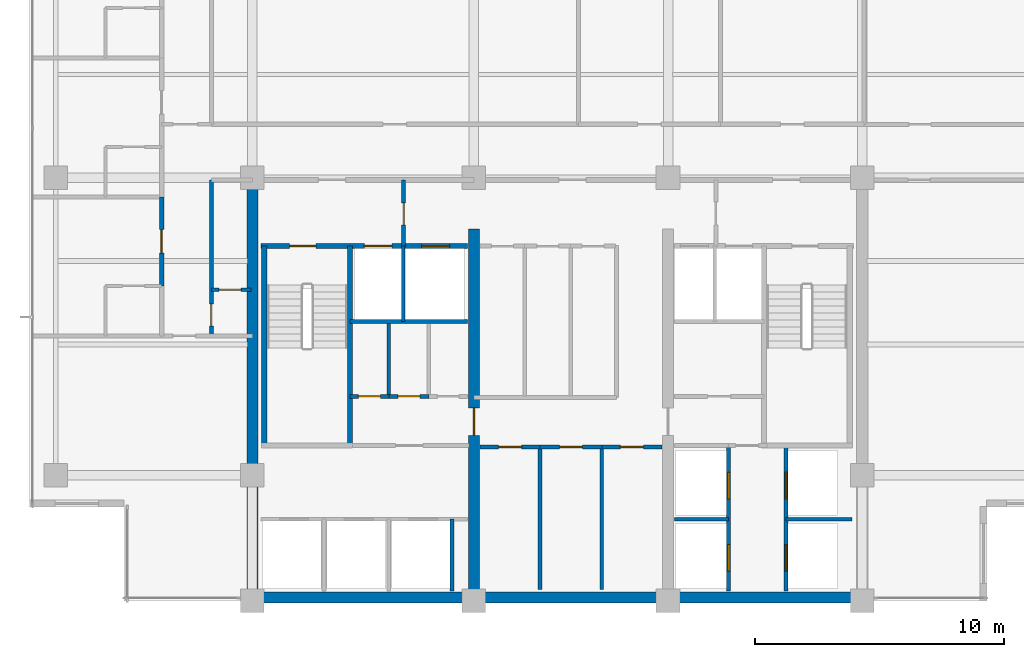
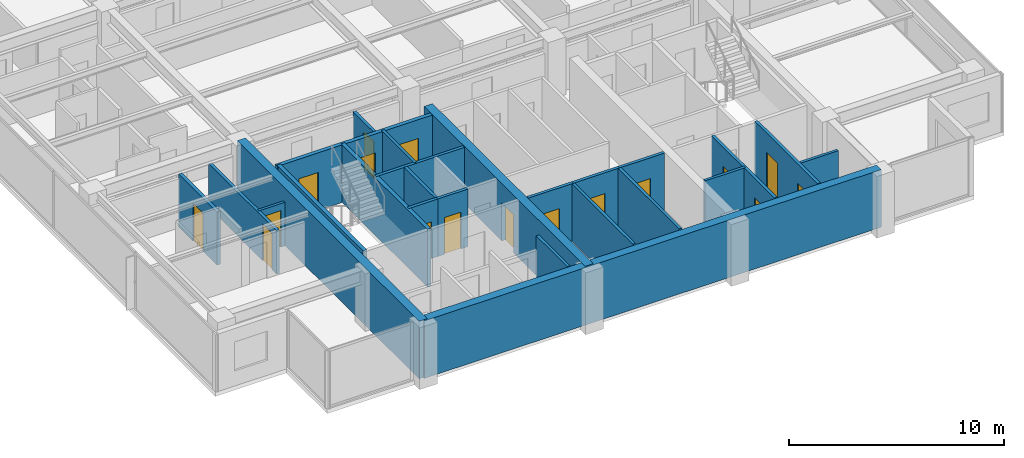
# One storey, part 7 of 14: 25 walls, 17 doors, 17 openings.
"""IFC4 building model written with IfcOpenShell, lengths in metres."""

import ifcopenshell
import ifcopenshell.guid

model = None  # the IFC model being written
_history = None  # IfcOwnerHistory: only IFC2X3 demands one
_inside = {}  # id of a spatial element -> (the spatial element, [elements in it])
_under = {}  # id of a project, library or spatial element -> (it, [spatial elements below it])
_declared = {}  # id of a project -> (the project, [libraries it declares])
_typed = {}  # id of a type object -> (the type object, [elements of that type])
_made_of = {}  # id of a material, layer set ... -> (it, [elements and type objects made of it])


def new_model(schema):
    """Start an empty IFC model of exactly this schema.

    Asked for "IFC4X3", IfcOpenShell would pick the latest addendum, in which some entities
    have other attributes; the version numbers below select the first issue.
    IFC2X3 requires an IfcOwnerHistory on every rooted entity: one is made here for all.
    """
    global model, _history
    if schema == "IFC4X3":
        model = ifcopenshell.file(schema_version=(4, 3, 0, 0))
    else:
        model = ifcopenshell.file(schema=schema)
    _inside.clear()
    _under.clear()
    _declared.clear()
    _typed.clear()
    _made_of.clear()
    _history = None
    if model.schema == "IFC2X3":
        org = make("IfcOrganization", Name="unknown")
        user = make(
            "IfcPersonAndOrganization",
            ThePerson=make("IfcPerson", FamilyName="unknown"),
            TheOrganization=org,
        )
        app = make(
            "IfcApplication",
            ApplicationDeveloper=org,
            Version="unknown",
            ApplicationFullName="unknown",
            ApplicationIdentifier="unknown",
        )
        _history = make(
            "IfcOwnerHistory",
            OwningUser=user,
            OwningApplication=app,
            ChangeAction="ADDED",
            CreationDate=0,
        )
    return model


def make(cls, **values):
    """One entity of the class cls with the attributes given. An attribute that is None is left unset."""
    return model.create_entity(
        cls, **{name: value for name, value in values.items() if value is not None}
    )


def rooted(cls, **values):
    """An entity with a GlobalId (a new one), such as an element, a storey or a relation."""
    return make(cls, GlobalId=ifcopenshell.guid.new(), OwnerHistory=_history, **values)


def si_unit(unit_type, name, prefix=None):
    """IfcSIUnit, for example si_unit("LENGTHUNIT", "METRE", prefix="MILLI")."""
    return make("IfcSIUnit", UnitType=unit_type, Prefix=prefix, Name=name)


def assignment(units):
    """IfcUnitAssignment: the units of a project."""
    return None if units is None else make("IfcUnitAssignment", Units=units)


def point(xyz):
    """IfcCartesianPoint."""
    return None if xyz is None else make("IfcCartesianPoint", Coordinates=xyz)


def direction(xyz):
    """IfcDirection."""
    return None if xyz is None else make("IfcDirection", DirectionRatios=xyz)


def frame(location, z_axis=None, x_axis=None):
    """IfcAxis2Placement3D, a coordinate frame: its origin and axes. An axis left out is left unset."""
    return make(
        "IfcAxis2Placement3D",
        Location=point(location),
        Axis=direction(z_axis),
        RefDirection=direction(x_axis),
    )


def frame_2d(location, x_axis=None):
    """IfcAxis2Placement2D, a coordinate frame in the plane: its origin and x axis."""
    return make(
        "IfcAxis2Placement2D", Location=point(location), RefDirection=direction(x_axis)
    )


def origin():
    """The frame at (0, 0, 0) with its axes left unset."""
    return frame((0.0, 0.0, 0.0))


def place(relative_to, where):
    """IfcLocalPlacement: puts the frame where relative to a parent placement (None: the world)."""
    return make(
        "IfcLocalPlacement", PlacementRelTo=relative_to, RelativePlacement=where
    )


def context(
    kind, dimensions, precision=None, world=None, true_north=None, identifier=None
):
    """IfcGeometricRepresentationContext, for example the 3D "Model" context."""
    return make(
        "IfcGeometricRepresentationContext",
        ContextIdentifier=identifier,
        ContextType=kind,
        CoordinateSpaceDimension=dimensions,
        Precision=precision,
        WorldCoordinateSystem=world,
        TrueNorth=true_north,
    )


def subcontext(parent, identifier, kind, view, scale=None):
    """IfcGeometricRepresentationSubContext, for example "Body" below "Model"."""
    return make(
        "IfcGeometricRepresentationSubContext",
        ContextIdentifier=identifier,
        ContextType=kind,
        ParentContext=parent,
        TargetScale=scale,
        TargetView=view,
    )


def project(units=None, contexts=None):
    """IfcProject with its units and contexts."""
    return rooted(
        "IfcProject",
        Name="project",
        RepresentationContexts=contexts,
        UnitsInContext=assignment(units),
    )


def spatial(cls, under=None, at=None, **own):
    """A site, building, storey or space (cls), placed at a placement, below another one or the project."""
    s = rooted(cls, ObjectPlacement=at, **own)
    if under is not None:
        _under.setdefault(under.id(), (under, []))[1].append(s)
    return s


def profile(cls, at=None, kind="AREA", **sizes):
    """A parametric profile (cls). Its sizes go by their IFC names, for example OverallWidth=200.0."""
    return make(cls, ProfileType=kind, Position=at, **sizes)


def rectangle(**sizes):
    """IfcRectangleProfileDef."""
    return profile("IfcRectangleProfileDef", **sizes)


def extrude(swept, where, along, depth):
    """IfcExtrudedAreaSolid: the profile swept, set in the frame where, extruded along a direction by depth."""
    return make(
        "IfcExtrudedAreaSolid",
        SweptArea=swept,
        Position=where,
        ExtrudedDirection=direction(along),
        Depth=depth,
    )


def shape(context_of_items, identifier, shape_type, items):
    """IfcShapeRepresentation: the items that make up one representation, for example the "Body"."""
    return make(
        "IfcShapeRepresentation",
        ContextOfItems=context_of_items,
        RepresentationIdentifier=identifier,
        RepresentationType=shape_type,
        Items=items,
    )


def material(Name=None, Category=None):
    """IfcMaterial."""
    return make("IfcMaterial", Name=Name, Category=Category)


def layer(
    of_material, thickness, ventilated=None, Name=None, Category=None, Priority=None
):
    """IfcMaterialLayer: one layer of a wall or slab, of a material (None: an air gap)."""
    return make(
        "IfcMaterialLayer",
        Material=of_material,
        LayerThickness=thickness,
        IsVentilated=ventilated,
        Name=Name,
        Category=Category,
        Priority=Priority,
    )


def layer_set(layers, Name=None):
    """IfcMaterialLayerSet."""
    return make("IfcMaterialLayerSet", MaterialLayers=layers, LayerSetName=Name)


def made_of(thing, what):
    """Note that an element or type object is made of a material, layer set ...; save() writes the relation."""
    if what is not None:
        _made_of.setdefault(what.id(), (what, []))[1].append(thing)
    return thing


def type_object(cls, material=None, **own):
    """A type object (cls), such as IfcWallType, which elements share."""
    return made_of(rooted(cls, **own), material)


def element(
    cls,
    number,
    at=None,
    inside=None,
    cuts=None,
    type_object=None,
    material=None,
    context=None,
    identifier="Body",
    shape_type=None,
    held_by="IfcProductDefinitionShape",
    body=None,
    shapes=None,
    **own,
):
    """One element of the class cls, such as IfcWall. Its Tag is "e" and its number.

    at: its placement. inside: the storey or other place that contains it. cuts: it is an
    opening in that element (IfcRelVoidsElement). A single representation is given by context,
    identifier, shape_type and body (its items); several are given by shapes. held_by: the class
    of the entity that holds the representations. save() writes the other relations.
    """
    e = rooted(cls, Tag="e%d" % number, ObjectPlacement=at, **own)
    if body is not None:
        shapes = [shape(context, identifier, shape_type, body)]
    if shapes is not None:
        e.Representation = make(held_by, Representations=shapes)
    if inside is not None:
        _inside.setdefault(inside.id(), (inside, []))[1].append(e)
    if cuts is not None:
        rooted(
            "IfcRelVoidsElement", RelatingBuildingElement=cuts, RelatedOpeningElement=e
        )
    if type_object is not None:
        _typed.setdefault(type_object.id(), (type_object, []))[1].append(e)
    return made_of(e, material)


def fill(opening, filler):
    """IfcRelFillsElement: the door or window that sits in an opening."""
    return rooted(
        "IfcRelFillsElement",
        RelatingOpeningElement=opening,
        RelatedBuildingElement=filler,
    )


def aggregate(whole, parts):
    """IfcRelAggregates: a whole, such as a stair, and the parts it consists of."""
    return rooted("IfcRelAggregates", RelatingObject=whole, RelatedObjects=parts)


def save(model, path):
    """Write the relations noted so far, then the file.

    IfcRelAggregates (storeys below a building ...), IfcRelContainedInSpatialStructure (elements
    in a storey), IfcRelDefinesByType, IfcRelAssociatesMaterial and IfcRelDeclares: one each for
    every whole, place, type object, material and project.
    """
    for whole, parts in _under.values():
        aggregate(whole, parts)
    for where, things in _inside.values():
        rooted(
            "IfcRelContainedInSpatialStructure",
            RelatedElements=things,
            RelatingStructure=where,
        )
    for kind, things in _typed.values():
        rooted("IfcRelDefinesByType", RelatedObjects=things, RelatingType=kind)
    for what, things in _made_of.values():
        rooted("IfcRelAssociatesMaterial", RelatedObjects=things, RelatingMaterial=what)
    for by, libraries in _declared.values():
        rooted("IfcRelDeclares", RelatingContext=by, RelatedDefinitions=libraries)
    model.write(path)


model = new_model("IFC4")

# Units and contexts
model_context = context("Model", 3, precision=1e-05, world=origin(), true_north=direction((0.0, 1.0)))
body_context = subcontext(model_context, "Body", "Model", "MODEL_VIEW")
ifc_project = project(units=[si_unit("LENGTHUNIT", "METRE"), si_unit("AREAUNIT", "SQUARE_METRE"), si_unit("VOLUMEUNIT", "CUBIC_METRE"), si_unit("PLANEANGLEUNIT", "RADIAN"), si_unit("MASSUNIT", "GRAM", prefix="KILO")], contexts=[model_context])

# Site, building, storey
site_placement = place(None, origin())
site = spatial("IfcSite", under=ifc_project, at=site_placement, CompositionType="ELEMENT")
building_placement = place(site_placement, origin())
building = spatial("IfcBuilding", under=site, at=building_placement, Name="Qalmaran Belvedere Hotel", CompositionType="ELEMENT")
storey_placement = place(building_placement, frame((0.0, 0.0, 200.39990234375)))
storey = spatial("IfcBuildingStorey", under=building, at=storey_placement, Name="L50", CompositionType="ELEMENT", Elevation=200.39990234375)

# Wall
ifc_material_1 = material(Name="Concrete C50/60", Category="concrete")
ifc_layer_1 = layer(ifc_material_1, 0.449951171875, Name="Concrete C50/60")
ifc_layer_set_1 = layer_set([ifc_layer_1], Name="Concrete C50/60")
wall_type_1 = type_object("IfcWallType", Name="WL-CORE-450-C50", PredefinedType="SHEAR", material=ifc_layer_set_1)
wall_1_placement = place(storey_placement, frame((20.300048828125, 3.5, 0.0), z_axis=(0.0, 0.0, 1.0), x_axis=(0.0, 1.0, 0.0)))
element("IfcWall", 1, at=wall_1_placement, inside=storey, type_object=wall_type_1, Name="L50 West Core Shear Wall", PredefinedType="SHEAR", context=body_context, shape_type="SweptSolid", body=[
    extrude(rectangle(XDim=16.89990234375, YDim=0.449951171875, at=frame_2d((8.449951171875, 0.0))), origin(), (0.0, 0.0, 1.0), 3.260009765625),
])

# Wall, opening, door
wall_2_placement = place(storey_placement, frame((29.199951171875, 3.5, 0.0), z_axis=(0.0, 0.0, 1.0), x_axis=(0.0, 1.0, 0.0)))
wall_2 = element("IfcWall", 2, at=wall_2_placement, inside=storey, type_object=wall_type_1, Name="L50 Core West Spine Shear Wall", PredefinedType="SHEAR", context=body_context, shape_type="SweptSolid", body=[
    extrude(rectangle(XDim=14.949951171875, YDim=0.449951171875, at=frame_2d((7.47509765625, 0.0))), origin(), (0.0, 0.0, 1.0), 3.260009765625),
])
opening_1_placement = place(wall_2_placement, frame((7.75, 0.0, 0.0), z_axis=(0.0, 0.0, 1.0), x_axis=(-1.0, 0.0, 0.0)))
opening_1 = element("IfcOpeningElement", 3, at=opening_1_placement, cuts=wall_2, Name="Opening FD90", PredefinedType="OPENING", context=body_context, shape_type="SweptSolid", body=[
    extrude(rectangle(XDim=1.10009765625, YDim=2.14990234375, at=frame_2d((0.550048828125, 1.074951171875))), frame((0.0, 0.23486328125, 0.0), z_axis=(0.0, -1.0, 0.0), x_axis=(1.0, 0.0, 0.0)), (0.0, 0.0, 1.0), 0.469970703125),
])
ifc_material_2 = material(Name="Steel S355JR", Category="steel")
door_type_1 = type_object("IfcDoorType", Name="DR-FD90-1100X2150", OperationType="NOTDEFINED", PredefinedType="DOOR", material=ifc_material_2)
door_1_placement = place(opening_1_placement, origin())
door_1 = element("IfcDoor", 4, at=door_1_placement, inside=storey, type_object=door_type_1, Name="L50 Core West Cross-Lobby Door", OperationType="SINGLE_SWING_LEFT", OverallHeight=2.14990234375, OverallWidth=1.10009765625, PredefinedType="DOOR", context=body_context, shape_type="SweptSolid", body=[
    extrude(rectangle(XDim=1.10009765625, YDim=2.14990234375, at=frame_2d((0.550048828125, 1.074951171875))), frame((0.0, 0.02490234375, 0.0), z_axis=(0.0, -1.0, 0.0), x_axis=(1.0, 0.0, 0.0)), (0.0, 0.0, 1.0), 0.050048828125),
])
fill(opening_1, door_1)

# Wall
ifc_layer_2 = layer(ifc_material_1, 0.43994140625, Name="Concrete C50/60")
ifc_layer_set_2 = layer_set([ifc_layer_2], Name="Concrete C50/60")
wall_type_2 = type_object("IfcWallType", Name="WL-CORES-440-EXT", PredefinedType="SHEAR", material=ifc_layer_set_2)
wall_3_placement = place(storey_placement, frame((20.300048828125, 3.6298828125, 0.0), z_axis=(0.0, 0.0, 1.0), x_axis=(1.0, 0.0, 0.0)))
element("IfcWall", 5, at=wall_3_placement, inside=storey, type_object=wall_type_2, Name="L50 South Core Shear Wall", PredefinedType="SHEAR", context=body_context, shape_type="SweptSolid", body=[
    extrude(rectangle(XDim=24.5, YDim=0.43994140625, at=frame_2d((12.25, 0.0))), origin(), (0.0, 0.0, 1.0), 3.260009765625),
])

# Wall, opening, door
ifc_material_3 = material(Name="Gypsum Stud Partition")
ifc_layer_3 = layer(ifc_material_3, 0.139892578125, Name="Gypsum Stud Partition")
ifc_layer_set_3 = layer_set([ifc_layer_3], Name="Gypsum Stud Partition")
wall_type_3 = type_object("IfcWallType", Name="WL-INT-140-NR", PredefinedType="PARTITIONING", material=ifc_layer_set_3)
wall_4_placement = place(storey_placement, frame((18.64990234375, 16.0, 0.0), z_axis=(0.0, 0.0, 1.0), x_axis=(1.0, 0.0, 0.0)))
wall_4 = element("IfcWall", 6, at=wall_4_placement, inside=storey, type_object=wall_type_3, Name="L50 Partition WL-L50-WCLSUB", PredefinedType="PARTITIONING", context=body_context, shape_type="SweptSolid", body=[
    extrude(rectangle(XDim=1.60009765625, YDim=0.139892578125, at=frame_2d((0.800048828125, 0.0))), origin(), (0.0, 0.0, 1.0), 2.47216796875),
])
opening_2_placement = place(wall_4_placement, frame((1.193115234375, 0.0, 0.0), z_axis=(0.0, 0.0, 1.0), x_axis=(-1.0, 0.0, 0.0)))
opening_2 = element("IfcOpeningElement", 7, at=opening_2_placement, cuts=wall_4, Name="Opening D-BATH", PredefinedType="OPENING", context=body_context, shape_type="SweptSolid", body=[
    extrude(rectangle(XDim=0.8798828125, YDim=2.080078125, at=frame_2d((0.43994140625, 1.0400390625))), frame((0.0, 0.080078125, 0.0), z_axis=(0.0, -1.0, 0.0), x_axis=(1.0, 0.0, 0.0)), (0.0, 0.0, 1.0), 0.159912109375),
])
ifc_material_4 = material(Name="Engineered Oak Veneer")
door_type_2 = type_object("IfcDoorType", Name="DR-INT-BATH-880X2080", OperationType="NOTDEFINED", PredefinedType="DOOR", material=ifc_material_4)
door_2_placement = place(opening_2_placement, origin())
door_2 = element("IfcDoor", 8, at=door_2_placement, inside=storey, type_object=door_type_2, Name="L50 Closet Alcove Door", OperationType="SINGLE_SWING_RIGHT", OverallHeight=2.080078125, OverallWidth=0.8798828125, PredefinedType="DOOR", context=body_context, shape_type="SweptSolid", body=[
    extrude(rectangle(XDim=0.8798828125, YDim=2.080078125, at=frame_2d((0.43994140625, 1.0400390625))), frame((0.0, 0.02490234375, 0.0), z_axis=(0.0, -1.0, 0.0), x_axis=(1.0, 0.0, 0.0)), (0.0, 0.0, 1.0), 0.050048828125),
])
fill(opening_2, door_2)

# Walls
ifc_layer_4 = layer(ifc_material_3, 0.14990234375, Name="Gypsum Stud Partition")
ifc_layer_set_4 = layer_set([ifc_layer_4], Name="Gypsum Stud Partition")
wall_type_4 = type_object("IfcWallType", Name="WL-INT-150-EI120", PredefinedType="PARTITIONING", material=ifc_layer_set_4)
wall_5_placement = place(storey_placement, frame((26.360107421875, 14.719970703125, 0.0), z_axis=(0.0, 0.0, 1.0), x_axis=(0.0, 1.0, 0.0)))
element("IfcWall", 9, at=wall_5_placement, inside=storey, type_object=wall_type_4, Name="L50 Partition WL-FF1M-L50", PredefinedType="PARTITIONING", context=body_context, shape_type="SweptSolid", body=[
    extrude(rectangle(XDim=3.0400390625, YDim=0.14990234375, at=frame_2d((1.52001953125, 0.0))), origin(), (0.0, 0.0, 1.0), 3.260009765625),
])
wall_6_placement = place(storey_placement, frame((28.320068359375, 3.89990234375, 0.0), z_axis=(0.0, 0.0, 1.0), x_axis=(0.0, 1.0, 0.0)))
element("IfcWall", 10, at=wall_6_placement, inside=storey, type_object=wall_type_4, Name="L50 Partition WL-POM3-L50", PredefinedType="PARTITIONING", context=body_context, shape_type="SweptSolid", body=[
    extrude(rectangle(XDim=2.880126953125, YDim=0.14990234375, at=frame_2d((1.43994140625, 0.0))), origin(), (0.0, 0.0, 1.0), 3.260009765625),
])
wall_7_placement = place(storey_placement, frame((37.25, 6.780029296875, 0.0), z_axis=(0.0, 0.0, 1.0), x_axis=(1.0, 0.0, 0.0)))
element("IfcWall", 11, at=wall_7_placement, inside=storey, type_object=wall_type_4, Name="L50 Partition WL-PHMW-L50", PredefinedType="PARTITIONING", context=body_context, shape_type="SweptSolid", body=[
    extrude(rectangle(XDim=2.169921875, YDim=0.14990234375, at=frame_2d((1.0849609375, 0.0))), origin(), (0.0, 0.0, 1.0), 3.260009765625),
])
wall_8_placement = place(storey_placement, frame((41.739990234375, 6.780029296875, 0.0), z_axis=(0.0, 0.0, 1.0), x_axis=(1.0, 0.0, 0.0)))
element("IfcWall", 12, at=wall_8_placement, inside=storey, type_object=wall_type_4, Name="L50 Partition WL-PHME-L50", PredefinedType="PARTITIONING", context=body_context, shape_type="SweptSolid", body=[
    extrude(rectangle(XDim=2.659912109375, YDim=0.14990234375, at=frame_2d((1.330078125, 0.0))), origin(), (0.0, 0.0, 1.0), 2.47216796875),
])
ifc_layer_5 = layer(ifc_material_3, 0.14990234375, Name="Gypsum Stud Partition")
ifc_layer_set_5 = layer_set([ifc_layer_5], Name="Gypsum Stud Partition")
wall_type_5 = type_object("IfcWallType", Name="WL-INT-150-EI60", PredefinedType="PARTITIONING", material=ifc_layer_set_5)
wall_9_placement = place(storey_placement, frame((25.781005859375, 11.719970703125, 0.0), z_axis=(0.0, 0.0, 1.0), x_axis=(0.0, 1.0, 0.0)))
element("IfcWall", 13, at=wall_9_placement, inside=storey, type_object=wall_type_5, Name="L50 Partition WL-L50-KWV1", PredefinedType="PARTITIONING", context=body_context, shape_type="SweptSolid", body=[
    extrude(rectangle(XDim=2.929931640625, YDim=0.14990234375, at=frame_2d((1.46484375, 0.0))), origin(), (0.0, 0.0, 1.0), 3.260009765625),
])
for number, where, z_axis, x_axis, name in (
    (14, (31.85888671875, 3.949951171875, 0.0), (0.0, 0.0, 1.0), (0.0, 1.0, 0.0), "L50 Partition WL-L50-KPLV1"),
    (15, (34.341064453125, 3.949951171875, 0.0), (0.0, 0.0, 1.0), (0.0, 1.0, 0.0), "L50 Partition WL-L50-KPLV2"),
):
    element("IfcWall", number, at=place(storey_placement, frame(where, z_axis=z_axis, x_axis=x_axis)), inside=storey, type_object=wall_type_5, Name=name, PredefinedType="PARTITIONING", context=body_context, shape_type="SweptSolid", body=[
        extrude(rectangle(XDim=5.72998046875, YDim=0.14990234375, at=frame_2d((2.864990234375, 0.0))), origin(), (0.0, 0.0, 1.0), 3.260009765625),
    ])

# Wall, opening, door
ifc_layer_6 = layer(ifc_material_3, 0.159912109375, Name="Gypsum Stud Partition")
ifc_layer_set_6 = layer_set([ifc_layer_6], Name="Gypsum Stud Partition")
wall_type_6 = type_object("IfcWallType", Name="WL-INT-160-EI120", PredefinedType="PARTITIONING", material=ifc_layer_set_6)
wall_10_placement = place(storey_placement, frame((26.3798828125, 17.760009765625, 0.0), z_axis=(0.0, 0.0, 1.0), x_axis=(0.0, 1.0, 0.0)))
wall_10 = element("IfcWall", 16, at=wall_10_placement, inside=storey, type_object=wall_type_6, Name="L50 Partition WL-FFSV1-L50", PredefinedType="PARTITIONING", context=body_context, shape_type="SweptSolid", body=[
    extrude(rectangle(XDim=2.659912109375, YDim=0.159912109375, at=frame_2d((1.330078125, 0.0))), origin(), (0.0, 0.0, 1.0), 2.7060546875),
])
opening_3_placement = place(wall_10_placement, frame((0.85009765625, 0.0, 0.0)))
opening_3 = element("IfcOpeningElement", 17, at=opening_3_placement, cuts=wall_10, Name="Opening FD60B", PredefinedType="OPENING", context=body_context, shape_type="SweptSolid", body=[
    extrude(rectangle(XDim=0.8798828125, YDim=2.080078125, at=frame_2d((0.43994140625, 1.0400390625))), frame((0.0, 0.08984375, 0.0), z_axis=(0.0, -1.0, 0.0), x_axis=(1.0, 0.0, 0.0)), (0.0, 0.0, 1.0), 0.179931640625),
])
door_type_3 = type_object("IfcDoorType", Name="DR-FD60B-880X2080", OperationType="NOTDEFINED", PredefinedType="DOOR", material=ifc_material_2)
door_3_placement = place(opening_3_placement, origin())
door_3 = element("IfcDoor", 18, at=door_3_placement, inside=storey, type_object=door_type_3, Name="L50 Service Lobby West Door", OperationType="SINGLE_SWING_LEFT", OverallHeight=2.080078125, OverallWidth=0.8798828125, PredefinedType="DOOR", context=body_context, shape_type="SweptSolid", body=[
    extrude(rectangle(XDim=0.8798828125, YDim=2.080078125, at=frame_2d((0.43994140625, 1.0400390625))), frame((0.0, 0.02490234375, 0.0), z_axis=(0.0, -1.0, 0.0), x_axis=(1.0, 0.0, 0.0)), (0.0, 0.0, 1.0), 0.050048828125),
])
fill(opening_3, door_3)

# Wall
wall_11_placement = place(storey_placement, frame((24.219970703125, 14.719970703125, 0.0), z_axis=(0.0, 0.0, 1.0), x_axis=(1.0, 0.0, 0.0)))
element("IfcWall", 19, at=wall_11_placement, inside=storey, type_object=wall_type_6, Name="L50 Partition WL-FF1S-L50", PredefinedType="PARTITIONING", context=body_context, shape_type="SweptSolid", body=[
    extrude(rectangle(XDim=4.72998046875, YDim=0.159912109375, at=frame_2d((2.364990234375, 0.0))), origin(), (0.0, 0.0, 1.0), 3.260009765625),
])

# Wall, openings, doors
wall_12_placement = place(storey_placement, frame((39.419921875, 3.89990234375, 0.0), z_axis=(0.0, 0.0, 1.0), x_axis=(0.0, 1.0, 0.0)))
wall_12 = element("IfcWall", 20, at=wall_12_placement, inside=storey, type_object=wall_type_6, Name="L50 Partition WL-PHW-L50", PredefinedType="PARTITIONING", context=body_context, shape_type="SweptSolid", body=[
    extrude(rectangle(XDim=5.840087890625, YDim=0.159912109375, at=frame_2d((2.919921875, 0.0))), origin(), (0.0, 0.0, 1.0), 3.260009765625),
])
opening_4_placement = place(wall_12_placement, frame((1.860107421875, 0.0, 0.0), z_axis=(0.0, 0.0, 1.0), x_axis=(-1.0, 0.0, 0.0)))
opening_4 = element("IfcOpeningElement", 21, at=opening_4_placement, cuts=wall_12, Name="Opening LD-P2", PredefinedType="OPENING", context=body_context, shape_type="SweptSolid", body=[
    extrude(rectangle(XDim=1.06005859375, YDim=2.159912109375, at=frame_2d((0.530029296875, 1.080078125))), frame((0.0, 0.08984375, 0.0), z_axis=(0.0, -1.0, 0.0), x_axis=(1.0, 0.0, 0.0)), (0.0, 0.0, 1.0), 0.179931640625),
])
opening_5_placement = place(wall_12_placement, frame((4.760009765625, 0.0, 0.0), z_axis=(0.0, 0.0, 1.0), x_axis=(-1.0, 0.0, 0.0)))
opening_5 = element("IfcOpeningElement", 22, at=opening_5_placement, cuts=wall_12, Name="Opening LD-P2", PredefinedType="OPENING", context=body_context, shape_type="SweptSolid", body=[
    extrude(rectangle(XDim=1.06005859375, YDim=2.159912109375, at=frame_2d((0.530029296875, 1.080078125))), frame((0.0, 0.08984375, 0.0), z_axis=(0.0, -1.0, 0.0), x_axis=(1.0, 0.0, 0.0)), (0.0, 0.0, 1.0), 0.179931640625),
])
ifc_material_5 = material(Name="Stainless Steel 1.4401", Category="steel")
door_type_4 = type_object("IfcDoorType", Name="DR-LIFT-P2-1060X2160", OperationType="DOUBLE_DOOR_SLIDING", PredefinedType="DOOR", material=ifc_material_5)
door_4_placement = place(opening_4_placement, origin())
door_4 = element("IfcDoor", 23, at=door_4_placement, inside=storey, type_object=door_type_4, Name="L50 PH1 Lift Landing Door", OperationType="DOUBLE_DOOR_SLIDING", OverallHeight=2.159912109375, OverallWidth=1.06005859375, PredefinedType="DOOR", context=body_context, shape_type="SweptSolid", body=[
    extrude(rectangle(XDim=1.06005859375, YDim=2.159912109375, at=frame_2d((0.530029296875, 1.080078125))), frame((0.0, 0.02490234375, 0.0), z_axis=(0.0, -1.0, 0.0), x_axis=(1.0, 0.0, 0.0)), (0.0, 0.0, 1.0), 0.050048828125),
])
fill(opening_4, door_4)
door_5_placement = place(opening_5_placement, origin())
door_5 = element("IfcDoor", 24, at=door_5_placement, inside=storey, type_object=door_type_4, Name="L50 PH2 Lift Landing Door", OperationType="DOUBLE_DOOR_SLIDING", OverallHeight=2.159912109375, OverallWidth=1.06005859375, PredefinedType="DOOR", context=body_context, shape_type="SweptSolid", body=[
    extrude(rectangle(XDim=1.06005859375, YDim=2.159912109375, at=frame_2d((0.530029296875, 1.080078125))), frame((0.0, 0.02490234375, 0.0), z_axis=(0.0, -1.0, 0.0), x_axis=(1.0, 0.0, 0.0)), (0.0, 0.0, 1.0), 0.050048828125),
])
fill(opening_5, door_5)

wall_13_placement = place(storey_placement, frame((41.739990234375, 3.89990234375, 0.0), z_axis=(0.0, 0.0, 1.0), x_axis=(0.0, 1.0, 0.0)))
wall_13 = element("IfcWall", 25, at=wall_13_placement, inside=storey, type_object=wall_type_6, Name="L50 Partition WL-PHE-L50", PredefinedType="PARTITIONING", context=body_context, shape_type="SweptSolid", body=[
    extrude(rectangle(XDim=5.840087890625, YDim=0.159912109375, at=frame_2d((2.919921875, 0.0))), origin(), (0.0, 0.0, 1.0), 3.260009765625),
])
opening_6_placement = place(wall_13_placement, frame((0.800048828125, 0.0, 0.0)))
opening_6 = element("IfcOpeningElement", 26, at=opening_6_placement, cuts=wall_13, Name="Opening LD-P2", PredefinedType="OPENING", context=body_context, shape_type="SweptSolid", body=[
    extrude(rectangle(XDim=1.06005859375, YDim=2.159912109375, at=frame_2d((0.530029296875, 1.080078125))), frame((0.0, 0.08984375, 0.0), z_axis=(0.0, -1.0, 0.0), x_axis=(1.0, 0.0, 0.0)), (0.0, 0.0, 1.0), 0.179931640625),
])
opening_7_placement = place(wall_13_placement, frame((3.699951171875, 0.0, 0.0)))
opening_7 = element("IfcOpeningElement", 27, at=opening_7_placement, cuts=wall_13, Name="Opening LD-P2", PredefinedType="OPENING", context=body_context, shape_type="SweptSolid", body=[
    extrude(rectangle(XDim=1.06005859375, YDim=2.159912109375, at=frame_2d((0.530029296875, 1.080078125))), frame((0.0, 0.08984375, 0.0), z_axis=(0.0, -1.0, 0.0), x_axis=(1.0, 0.0, 0.0)), (0.0, 0.0, 1.0), 0.179931640625),
])
door_6_placement = place(opening_6_placement, origin())
door_6 = element("IfcDoor", 28, at=door_6_placement, inside=storey, type_object=door_type_4, Name="L50 PH3 Lift Landing Door", OperationType="DOUBLE_DOOR_SLIDING", OverallHeight=2.159912109375, OverallWidth=1.06005859375, PredefinedType="DOOR", context=body_context, shape_type="SweptSolid", body=[
    extrude(rectangle(XDim=1.06005859375, YDim=2.159912109375, at=frame_2d((0.530029296875, 1.080078125))), frame((0.0, 0.02490234375, 0.0), z_axis=(0.0, -1.0, 0.0), x_axis=(1.0, 0.0, 0.0)), (0.0, 0.0, 1.0), 0.050048828125),
])
fill(opening_6, door_6)
door_7_placement = place(opening_7_placement, origin())
door_7 = element("IfcDoor", 29, at=door_7_placement, inside=storey, type_object=door_type_4, Name="L50 PH4 Lift Landing Door", OperationType="DOUBLE_DOOR_SLIDING", OverallHeight=2.159912109375, OverallWidth=1.06005859375, PredefinedType="DOOR", context=body_context, shape_type="SweptSolid", body=[
    extrude(rectangle(XDim=1.06005859375, YDim=2.159912109375, at=frame_2d((0.530029296875, 1.080078125))), frame((0.0, 0.02490234375, 0.0), z_axis=(0.0, -1.0, 0.0), x_axis=(1.0, 0.0, 0.0)), (0.0, 0.0, 1.0), 0.050048828125),
])
fill(opening_7, door_7)

# Wall, opening, door
ifc_layer_7 = layer(ifc_material_3, 0.159912109375, Name="Gypsum Stud Partition")
ifc_layer_set_7 = layer_set([ifc_layer_7], Name="Gypsum Stud Partition")
wall_type_7 = type_object("IfcWallType", Name="WL-INT-160-EI60", PredefinedType="PARTITIONING", material=ifc_layer_set_7)
wall_14_placement = place(storey_placement, frame((24.219970703125, 11.719970703125, 0.0), z_axis=(0.0, 0.0, 1.0), x_axis=(1.0, 0.0, 0.0)))
wall_14 = element("IfcWall", 30, at=wall_14_placement, inside=storey, type_object=wall_type_7, Name="L50 Partition WL-L50-KWE1", PredefinedType="PARTITIONING", context=body_context, shape_type="SweptSolid", body=[
    extrude(rectangle(XDim=1.56103515625, YDim=0.159912109375, at=frame_2d((0.780517578125, 0.0))), origin(), (0.0, 0.0, 1.0), 3.260009765625),
])
opening_8_placement = place(wall_14_placement, frame((0.340576171875, 0.0, 0.0)))
opening_8 = element("IfcOpeningElement", 31, at=opening_8_placement, cuts=wall_14, Name="Opening FD60B", PredefinedType="OPENING", context=body_context, shape_type="SweptSolid", body=[
    extrude(rectangle(XDim=0.8798828125, YDim=2.080078125, at=frame_2d((0.43994140625, 1.0400390625))), frame((0.0, 0.08984375, 0.0), z_axis=(0.0, -1.0, 0.0), x_axis=(1.0, 0.0, 0.0)), (0.0, 0.0, 1.0), 0.179931640625),
])
door_8_placement = place(opening_8_placement, origin())
door_8 = element("IfcDoor", 32, at=door_8_placement, inside=storey, type_object=door_type_3, Name="L50 Staff Core WC Door", OperationType="SINGLE_SWING_RIGHT", OverallHeight=2.080078125, OverallWidth=0.8798828125, PredefinedType="DOOR", context=body_context, shape_type="SweptSolid", body=[
    extrude(rectangle(XDim=0.8798828125, YDim=2.080078125, at=frame_2d((0.43994140625, 1.0400390625))), frame((0.0, 0.02490234375, 0.0), z_axis=(0.0, -1.0, 0.0), x_axis=(1.0, 0.0, 0.0)), (0.0, 0.0, 1.0), 0.050048828125),
])
fill(opening_8, door_8)

wall_15_placement = place(storey_placement, frame((25.781005859375, 11.719970703125, 0.0), z_axis=(0.0, 0.0, 1.0), x_axis=(1.0, 0.0, 0.0)))
wall_15 = element("IfcWall", 33, at=wall_15_placement, inside=storey, type_object=wall_type_7, Name="L50 Partition WL-L50-KWE2", PredefinedType="PARTITIONING", context=body_context, shape_type="SweptSolid", body=[
    extrude(rectangle(XDim=1.608154296875, YDim=0.159912109375, at=frame_2d((0.80419921875, 0.0))), origin(), (0.0, 0.0, 1.0), 3.260009765625),
])
opening_9_placement = place(wall_15_placement, frame((0.364013671875, 0.0, 0.0)))
opening_9 = element("IfcOpeningElement", 34, at=opening_9_placement, cuts=wall_15, Name="Opening FD60B", PredefinedType="OPENING", context=body_context, shape_type="SweptSolid", body=[
    extrude(rectangle(XDim=0.8798828125, YDim=2.080078125, at=frame_2d((0.43994140625, 1.0400390625))), frame((0.0, 0.08984375, 0.0), z_axis=(0.0, -1.0, 0.0), x_axis=(1.0, 0.0, 0.0)), (0.0, 0.0, 1.0), 0.179931640625),
])
door_9_placement = place(opening_9_placement, origin())
door_9 = element("IfcDoor", 35, at=door_9_placement, inside=storey, type_object=door_type_3, Name="L50 Electrical Distribution Room Door", OperationType="SINGLE_SWING_LEFT", OverallHeight=2.080078125, OverallWidth=0.8798828125, PredefinedType="DOOR", context=body_context, shape_type="SweptSolid", body=[
    extrude(rectangle(XDim=0.8798828125, YDim=2.080078125, at=frame_2d((0.43994140625, 1.0400390625))), frame((0.0, 0.02490234375, 0.0), z_axis=(0.0, -1.0, 0.0), x_axis=(1.0, 0.0, 0.0)), (0.0, 0.0, 1.0), 0.050048828125),
])
fill(opening_9, door_9)

wall_16_placement = place(storey_placement, frame((29.449951171875, 9.679931640625, 0.0), z_axis=(0.0, 0.0, 1.0), x_axis=(1.0, 0.0, 0.0)))
wall_16 = element("IfcWall", 36, at=wall_16_placement, inside=storey, type_object=wall_type_7, Name="L50 Partition WL-L50-KPLE1", PredefinedType="PARTITIONING", context=body_context, shape_type="SweptSolid", body=[
    extrude(rectangle(XDim=2.408935546875, YDim=0.159912109375, at=frame_2d((1.20458984375, 0.0))), origin(), (0.0, 0.0, 1.0), 3.260009765625),
])
opening_10_placement = place(wall_16_placement, frame((1.664306640625, 0.0, 0.0), z_axis=(0.0, 0.0, 1.0), x_axis=(-1.0, 0.0, 0.0)))
opening_10 = element("IfcOpeningElement", 37, at=opening_10_placement, cuts=wall_16, Name="Opening FD60S1", PredefinedType="OPENING", context=body_context, shape_type="SweptSolid", body=[
    extrude(rectangle(XDim=0.919921875, YDim=2.080078125, at=frame_2d((0.4599609375, 1.0400390625))), frame((0.0, 0.08984375, 0.0), z_axis=(0.0, -1.0, 0.0), x_axis=(1.0, 0.0, 0.0)), (0.0, 0.0, 1.0), 0.179931640625),
])
door_type_5 = type_object("IfcDoorType", Name="DR-FD60S-920X2080", OperationType="NOTDEFINED", PredefinedType="DOOR", material=ifc_material_4)
door_10_placement = place(opening_10_placement, origin())
door_10 = element("IfcDoor", 38, at=door_10_placement, inside=storey, type_object=door_type_5, Name="L50 Housekeeping and Linen Room Door", OperationType="SINGLE_SWING_RIGHT", OverallHeight=2.080078125, OverallWidth=0.919921875, PredefinedType="DOOR", context=body_context, shape_type="SweptSolid", body=[
    extrude(rectangle(XDim=0.919921875, YDim=2.080078125, at=frame_2d((0.4599609375, 1.0400390625))), frame((0.0, 0.02490234375, 0.0), z_axis=(0.0, -1.0, 0.0), x_axis=(1.0, 0.0, 0.0)), (0.0, 0.0, 1.0), 0.050048828125),
])
fill(opening_10, door_10)

wall_17_placement = place(storey_placement, frame((31.85888671875, 9.679931640625, 0.0), z_axis=(0.0, 0.0, 1.0), x_axis=(1.0, 0.0, 0.0)))
wall_17 = element("IfcWall", 39, at=wall_17_placement, inside=storey, type_object=wall_type_7, Name="L50 Partition WL-L50-KPLE2", PredefinedType="PARTITIONING", context=body_context, shape_type="SweptSolid", body=[
    extrude(rectangle(XDim=2.482177734375, YDim=0.159912109375, at=frame_2d((1.2412109375, 0.0))), origin(), (0.0, 0.0, 1.0), 3.260009765625),
])
opening_11_placement = place(wall_17_placement, frame((1.700927734375, 0.0, 0.0), z_axis=(0.0, 0.0, 1.0), x_axis=(-1.0, 0.0, 0.0)))
opening_11 = element("IfcOpeningElement", 40, at=opening_11_placement, cuts=wall_17, Name="Opening FD60S1", PredefinedType="OPENING", context=body_context, shape_type="SweptSolid", body=[
    extrude(rectangle(XDim=0.919921875, YDim=2.080078125, at=frame_2d((0.4599609375, 1.0400390625))), frame((0.0, 0.08984375, 0.0), z_axis=(0.0, -1.0, 0.0), x_axis=(1.0, 0.0, 0.0)), (0.0, 0.0, 1.0), 0.179931640625),
])
door_11_placement = place(opening_11_placement, origin())
door_11 = element("IfcDoor", 41, at=door_11_placement, inside=storey, type_object=door_type_5, Name="L50 Hotel Butler Service Pantry Door", OperationType="SINGLE_SWING_LEFT", OverallHeight=2.080078125, OverallWidth=0.919921875, PredefinedType="DOOR", context=body_context, shape_type="SweptSolid", body=[
    extrude(rectangle(XDim=0.919921875, YDim=2.080078125, at=frame_2d((0.4599609375, 1.0400390625))), frame((0.0, 0.02490234375, 0.0), z_axis=(0.0, -1.0, 0.0), x_axis=(1.0, 0.0, 0.0)), (0.0, 0.0, 1.0), 0.050048828125),
])
fill(opening_11, door_11)

wall_18_placement = place(storey_placement, frame((34.341064453125, 9.679931640625, 0.0), z_axis=(0.0, 0.0, 1.0), x_axis=(1.0, 0.0, 0.0)))
wall_18 = element("IfcWall", 42, at=wall_18_placement, inside=storey, type_object=wall_type_7, Name="L50 Partition WL-L50-KPLE3", PredefinedType="PARTITIONING", context=body_context, shape_type="SweptSolid", body=[
    extrude(rectangle(XDim=2.408935546875, YDim=0.159912109375, at=frame_2d((1.20458984375, 0.0))), origin(), (0.0, 0.0, 1.0), 3.260009765625),
])
opening_12_placement = place(wall_18_placement, frame((1.664306640625, 0.0, 0.0), z_axis=(0.0, 0.0, 1.0), x_axis=(-1.0, 0.0, 0.0)))
opening_12 = element("IfcOpeningElement", 43, at=opening_12_placement, cuts=wall_18, Name="Opening FD60S1", PredefinedType="OPENING", context=body_context, shape_type="SweptSolid", body=[
    extrude(rectangle(XDim=0.919921875, YDim=2.080078125, at=frame_2d((0.4599609375, 1.0400390625))), frame((0.0, 0.08984375, 0.0), z_axis=(0.0, -1.0, 0.0), x_axis=(1.0, 0.0, 0.0)), (0.0, 0.0, 1.0), 0.179931640625),
])
door_12_placement = place(opening_12_placement, origin())
door_12 = element("IfcDoor", 44, at=door_12_placement, inside=storey, type_object=door_type_5, Name="L50 Guest Valet Supply Store Door", OperationType="SINGLE_SWING_RIGHT", OverallHeight=2.080078125, OverallWidth=0.919921875, PredefinedType="DOOR", context=body_context, shape_type="SweptSolid", body=[
    extrude(rectangle(XDim=0.919921875, YDim=2.080078125, at=frame_2d((0.4599609375, 1.0400390625))), frame((0.0, 0.02490234375, 0.0), z_axis=(0.0, -1.0, 0.0), x_axis=(1.0, 0.0, 0.0)), (0.0, 0.0, 1.0), 0.050048828125),
])
fill(opening_12, door_12)

wall_19_placement = place(storey_placement, frame((18.64990234375, 14.14990234375, 0.0), z_axis=(0.0, 0.0, 1.0), x_axis=(0.0, 1.0, 0.0)))
wall_19 = element("IfcWall", 45, at=wall_19_placement, inside=storey, type_object=wall_type_7, Name="L50 Partition WL-L50-WCL", PredefinedType="PARTITIONING", context=body_context, shape_type="SweptSolid", body=[
    extrude(rectangle(XDim=6.27001953125, YDim=0.159912109375, at=frame_2d((3.135009765625, 0.0))), origin(), (0.0, 0.0, 1.0), 2.47216796875),
])
opening_13_placement = place(wall_19_placement, frame((1.27978515625, 0.0, 0.0), z_axis=(0.0, 0.0, 1.0), x_axis=(-1.0, 0.0, 0.0)))
opening_13 = element("IfcOpeningElement", 46, at=opening_13_placement, cuts=wall_19, Name="Opening FD60B", PredefinedType="OPENING", context=body_context, shape_type="SweptSolid", body=[
    extrude(rectangle(XDim=0.8798828125, YDim=2.080078125, at=frame_2d((0.43994140625, 1.0400390625))), frame((0.0, 0.08984375, 0.0), z_axis=(0.0, -1.0, 0.0), x_axis=(1.0, 0.0, 0.0)), (0.0, 0.0, 1.0), 0.179931640625),
])
door_13_placement = place(opening_13_placement, origin())
door_13 = element("IfcDoor", 47, at=door_13_placement, inside=storey, type_object=door_type_3, Name="L50 West Closet Door", OperationType="SINGLE_SWING_LEFT", OverallHeight=2.080078125, OverallWidth=0.8798828125, PredefinedType="DOOR", context=body_context, shape_type="SweptSolid", body=[
    extrude(rectangle(XDim=0.8798828125, YDim=2.080078125, at=frame_2d((0.43994140625, 1.0400390625))), frame((0.0, 0.02490234375, 0.0), z_axis=(0.0, -1.0, 0.0), x_axis=(1.0, 0.0, 0.0)), (0.0, 0.0, 1.0), 0.050048828125),
])
fill(opening_13, door_13)

ifc_layer_8 = layer(ifc_material_3, 0.179931640625, Name="Gypsum Stud Partition")
ifc_layer_set_8 = layer_set([ifc_layer_8], Name="Gypsum Stud Partition")
wall_type_8 = type_object("IfcWallType", Name="WL-INT-180-EI60", PredefinedType="PARTITIONING", material=ifc_layer_set_8)
wall_20_placement = place(storey_placement, frame((16.64990234375, 16.159912109375, 0.0), z_axis=(0.0, 0.0, 1.0), x_axis=(0.0, 1.0, 0.0)))
wall_20 = element("IfcWall", 48, at=wall_20_placement, inside=storey, type_object=wall_type_8, Name="L50 Partition WL-L50-WEC00", PredefinedType="PARTITIONING", context=body_context, shape_type="SweptSolid", body=[
    extrude(rectangle(XDim=3.573486328125, YDim=0.179931640625, at=frame_2d((1.78662109375, 0.0))), origin(), (0.0, 0.0, 1.0), 2.998046875),
])
opening_14_placement = place(wall_20_placement, frame((1.3115234375, 0.0, 0.0)))
opening_14 = element("IfcOpeningElement", 49, at=opening_14_placement, cuts=wall_20, Name="Opening FD60", PredefinedType="OPENING", context=body_context, shape_type="SweptSolid", body=[
    extrude(rectangle(XDim=0.949951171875, YDim=2.14990234375, at=frame_2d((0.47509765625, 1.074951171875))), frame((0.0, 0.10009765625, 0.0), z_axis=(0.0, -1.0, 0.0), x_axis=(1.0, 0.0, 0.0)), (0.0, 0.0, 1.0), 0.199951171875),
])
door_type_6 = type_object("IfcDoorType", Name="DR-FD60-950X2150", OperationType="NOTDEFINED", PredefinedType="DOOR", material=ifc_material_4)
door_14_placement = place(opening_14_placement, origin())
door_14 = element("IfcDoor", 50, at=door_14_placement, inside=storey, type_object=door_type_6, Name="L50 W Wing Door 01", OperationType="SINGLE_SWING_RIGHT", OverallHeight=2.14990234375, OverallWidth=0.949951171875, PredefinedType="DOOR", context=body_context, shape_type="SweptSolid", body=[
    extrude(rectangle(XDim=0.949951171875, YDim=2.14990234375, at=frame_2d((0.47509765625, 1.074951171875))), frame((0.0, 0.02490234375, 0.0), z_axis=(0.0, -1.0, 0.0), x_axis=(1.0, 0.0, 0.0)), (0.0, 0.0, 1.0), 0.050048828125),
])
fill(opening_14, door_14)

# Walls
ifc_layer_9 = layer(ifc_material_1, 0.2099609375, Name="Concrete C50/60")
ifc_layer_set_9 = layer_set([ifc_layer_9], Name="Concrete C50/60")
wall_type_9 = type_object("IfcWallType", Name="WL-STAIR-210-C50", PredefinedType="SHEAR", material=ifc_layer_set_9)
for number, where, z_axis, x_axis, name in (
    (51, (20.77490234375, 9.7451171875, 0.0), (0.0, 0.0, 1.0), (0.0, 1.0, 0.0), "L50 Stair ST-1 West Bearing Wall"),
    (52, (24.22509765625, 9.7451171875, 0.0), (0.0, 0.0, 1.0), (0.0, 1.0, 0.0), "L50 Stair ST-1 East Bearing Wall"),
):
    element("IfcWall", number, at=place(storey_placement, frame(where, z_axis=z_axis, x_axis=x_axis)), inside=storey, type_object=wall_type_9, Name=name, PredefinedType="SHEAR", context=body_context, shape_type="SweptSolid", body=[
        extrude(rectangle(XDim=8.009765625, YDim=0.2099609375, at=frame_2d((4.0048828125, 0.0))), origin(), (0.0, 0.0, 1.0), 3.260009765625),
    ])

# Wall, openings, doors
wall_21_placement = place(storey_placement, frame((20.64990234375, 17.7548828125, 0.0), z_axis=(0.0, 0.0, 1.0), x_axis=(1.0, 0.0, 0.0)))
wall_21 = element("IfcWall", 53, at=wall_21_placement, inside=storey, type_object=wall_type_9, Name="L50 West Lobby and Stair ST-1 North Bearing Wall", PredefinedType="SHEAR", context=body_context, shape_type="SweptSolid", body=[
    extrude(rectangle(XDim=8.300048828125, YDim=0.2099609375, at=frame_2d((4.14990234375, 0.0))), origin(), (0.0, 0.0, 1.0), 3.260009765625),
])
opening_15_placement = place(wall_21_placement, frame((2.199951171875, 0.0, 0.0), z_axis=(0.0, 0.0, 1.0), x_axis=(-1.0, 0.0, 0.0)))
opening_15 = element("IfcOpeningElement", 54, at=opening_15_placement, cuts=wall_21, Name="Opening FD90S2", PredefinedType="OPENING", context=body_context, shape_type="SweptSolid", body=[
    extrude(rectangle(XDim=1.050048828125, YDim=2.14990234375, at=frame_2d((0.52490234375, 1.074951171875))), frame((0.0, 0.114990234375, 0.0), z_axis=(0.0, -1.0, 0.0), x_axis=(1.0, 0.0, 0.0)), (0.0, 0.0, 1.0), 0.22998046875),
])
opening_16_placement = place(wall_21_placement, frame((4.14990234375, 0.0, 0.0)))
opening_16 = element("IfcOpeningElement", 55, at=opening_16_placement, cuts=wall_21, Name="Opening LD-FF", PredefinedType="OPENING", context=body_context, shape_type="SweptSolid", body=[
    extrude(rectangle(XDim=1.10009765625, YDim=2.179931640625, at=frame_2d((0.550048828125, 1.08984375))), frame((0.0, 0.114990234375, 0.0), z_axis=(0.0, -1.0, 0.0), x_axis=(1.0, 0.0, 0.0)), (0.0, 0.0, 1.0), 0.22998046875),
])
opening_17_placement = place(wall_21_placement, frame((6.449951171875, 0.0, 0.0)))
opening_17 = element("IfcOpeningElement", 56, at=opening_17_placement, cuts=wall_21, Name="Opening LD-SV", PredefinedType="OPENING", context=body_context, shape_type="SweptSolid", body=[
    extrude(rectangle(XDim=1.1201171875, YDim=2.199951171875, at=frame_2d((0.56005859375, 1.10009765625))), frame((0.0, 0.114990234375, 0.0), z_axis=(0.0, -1.0, 0.0), x_axis=(1.0, 0.0, 0.0)), (0.0, 0.0, 1.0), 0.22998046875),
])
door_type_7 = type_object("IfcDoorType", Name="DR-FD90S-1050X2150", OperationType="NOTDEFINED", PredefinedType="DOOR", material=ifc_material_2)
door_15_placement = place(opening_15_placement, origin())
door_15 = element("IfcDoor", 57, at=door_15_placement, inside=storey, type_object=door_type_7, Name="L50 Stair ST-1 Door", OperationType="SINGLE_SWING_LEFT", OverallHeight=2.14990234375, OverallWidth=1.050048828125, PredefinedType="DOOR", context=body_context, shape_type="SweptSolid", body=[
    extrude(rectangle(XDim=1.050048828125, YDim=2.14990234375, at=frame_2d((0.52490234375, 1.074951171875))), frame((0.0, 0.02490234375, 0.0), z_axis=(0.0, -1.0, 0.0), x_axis=(1.0, 0.0, 0.0)), (0.0, 0.0, 1.0), 0.050048828125),
])
fill(opening_15, door_15)
door_type_8 = type_object("IfcDoorType", Name="DR-LIFT-FF-1100X2180", OperationType="DOUBLE_DOOR_SLIDING", PredefinedType="DOOR", material=ifc_material_5)
door_16_placement = place(opening_16_placement, origin())
door_16 = element("IfcDoor", 58, at=door_16_placement, inside=storey, type_object=door_type_8, Name="L50 FF1 Lift Landing Door", OperationType="DOUBLE_DOOR_SLIDING", OverallHeight=2.179931640625, OverallWidth=1.10009765625, PredefinedType="DOOR", context=body_context, shape_type="SweptSolid", body=[
    extrude(rectangle(XDim=1.10009765625, YDim=2.179931640625, at=frame_2d((0.550048828125, 1.08984375))), frame((0.0, 0.02490234375, 0.0), z_axis=(0.0, -1.0, 0.0), x_axis=(1.0, 0.0, 0.0)), (0.0, 0.0, 1.0), 0.050048828125),
])
fill(opening_16, door_16)
door_type_9 = type_object("IfcDoorType", Name="DR-LIFT-SV-1120X2200", OperationType="DOUBLE_DOOR_SLIDING", PredefinedType="DOOR", material=ifc_material_5)
door_17_placement = place(opening_17_placement, origin())
door_17 = element("IfcDoor", 59, at=door_17_placement, inside=storey, type_object=door_type_9, Name="L50 SV1 Lift Landing Door", OperationType="DOUBLE_DOOR_SLIDING", OverallHeight=2.199951171875, OverallWidth=1.1201171875, PredefinedType="DOOR", context=body_context, shape_type="SweptSolid", body=[
    extrude(rectangle(XDim=1.1201171875, YDim=2.199951171875, at=frame_2d((0.56005859375, 1.10009765625))), frame((0.0, 0.02490234375, 0.0), z_axis=(0.0, -1.0, 0.0), x_axis=(1.0, 0.0, 0.0)), (0.0, 0.0, 1.0), 0.050048828125),
])
fill(opening_17, door_17)

save(model, "model.ifc")
